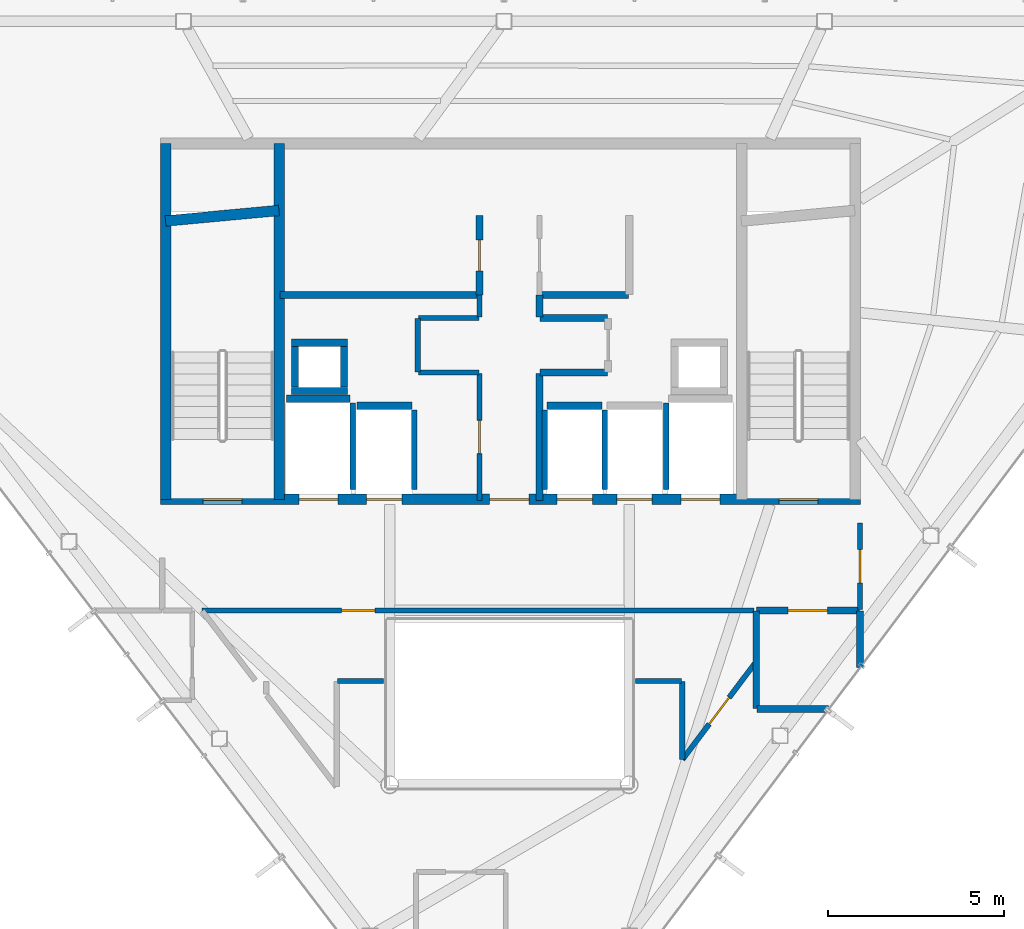
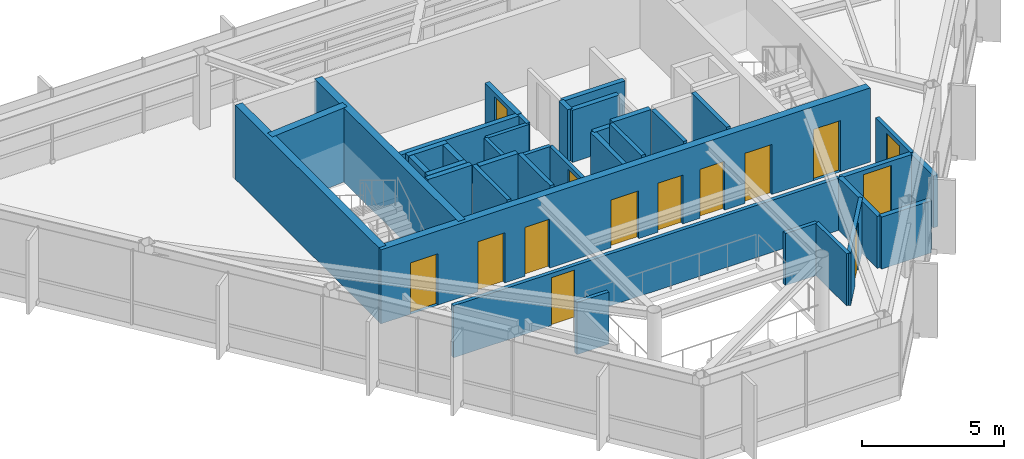
# One storey, part 20 of 22: 38 walls, 14 doors, 14 openings.
"""IFC4 building model written with IfcOpenShell, lengths in metres."""

from ifc_helpers import new_model, si_unit, direction, frame, frame_2d, origin, place, context, subcontext, project, spatial, rectangle, extrude, material, layer, layer_set, type_object, element, fill, save


model = new_model("IFC4")

# Units and contexts
model_context = context("Model", 3, precision=1e-05, world=origin(), true_north=direction((0.0, 1.0)))
body_context = subcontext(model_context, "Body", "Model", "MODEL_VIEW")
ifc_project = project(units=[si_unit("LENGTHUNIT", "METRE"), si_unit("AREAUNIT", "SQUARE_METRE"), si_unit("VOLUMEUNIT", "CUBIC_METRE"), si_unit("PLANEANGLEUNIT", "RADIAN"), si_unit("MASSUNIT", "GRAM", prefix="KILO")], contexts=[model_context])

# Site, building, storey
site_placement = place(None, origin())
site = spatial("IfcSite", under=ifc_project, at=site_placement, CompositionType="ELEMENT")
building_placement = place(site_placement, origin())
building = spatial("IfcBuilding", under=site, at=building_placement, Name="Zarrinselat Tower", CompositionType="ELEMENT")
storey_placement = place(building_placement, frame((0.0, 0.0, 289.0)))
storey = spatial("IfcBuildingStorey", under=building, at=storey_placement, Name="L74", CompositionType="ELEMENT", Elevation=289.0)

# Wall, opening, door
ifc_material_1 = material(Name="Concrete C40/50", Category="concrete")
ifc_layer_1 = layer(ifc_material_1, 0.18994140625)
ifc_layer_set_1 = layer_set([ifc_layer_1], Name="Concrete C40/50")
wall_type_1 = type_object("IfcWallType", Name="WAL-PART-EI120", PredefinedType="PARTITIONING", material=ifc_layer_set_1)
wall_1_placement = place(storey_placement, frame((45.405029296875, 30.14990234375, 0.0), z_axis=(0.0, 0.0, 1.0), x_axis=(1.0, 0.0, 0.0)))
wall_1 = element("IfcWall", 1, at=wall_1_placement, inside=storey, type_object=wall_type_1, Name="L74 Partition Wall 16", PredefinedType="PARTITIONING", context=body_context, shape_type="SweptSolid", body=[
    extrude(rectangle(XDim=2.925048828125, YDim=0.18994140625, at=frame_2d((1.46240234375, 0.0))), origin(), (0.0, 0.0, 1.0), 2.235107421875),
])
opening_1_placement = place(wall_1_placement, frame((0.902587890625, 0.0, 0.0)))
opening_1 = element("IfcOpeningElement", 2, at=opening_1_placement, cuts=wall_1, Name="Opening ID-02", PredefinedType="OPENING", context=body_context, shape_type="SweptSolid", body=[
    extrude(rectangle(XDim=1.1201171875, YDim=2.050048828125, at=frame_2d((0.56005859375, 1.02490234375))), frame((0.0, 0.10498046875, 0.0), z_axis=(0.0, -1.0, 0.0), x_axis=(1.0, 0.0, 0.0)), (0.0, 0.0, 1.0), 0.2099609375),
])
ifc_material_2 = material(Name="Steel S355J2", Category="steel")
door_type_1 = type_object("IfcDoorType", Name="DR-INT-FD60-W", OperationType="NOTDEFINED", PredefinedType="DOOR", material=ifc_material_2)
door_1_placement = place(opening_1_placement, origin())
door_1 = element("IfcDoor", 3, at=door_1_placement, inside=storey, type_object=door_type_1, Name="L74 Interior Door P16", OperationType="SINGLE_SWING_RIGHT", OverallHeight=2.050048828125, OverallWidth=1.1201171875, PredefinedType="DOOR", context=body_context, shape_type="SweptSolid", body=[
    extrude(rectangle(XDim=1.1201171875, YDim=2.050048828125, at=frame_2d((0.56005859375, 1.02490234375))), frame((0.0, 0.02490234375, 0.0), z_axis=(0.0, -1.0, 0.0), x_axis=(1.0, 0.0, 0.0)), (0.0, 0.0, 1.0), 0.050048828125),
])
fill(opening_1, door_1)

# Walls
wall_2_placement = place(storey_placement, frame((45.39990234375, 27.3701171875, 0.0), z_axis=(0.0, 0.0, 1.0), x_axis=(0.0, 1.0, 0.0)))
element("IfcWall", 4, at=wall_2_placement, inside=storey, type_object=wall_type_1, Name="L74 Partition Wall 21", PredefinedType="PARTITIONING", context=body_context, shape_type="SweptSolid", body=[
    extrude(rectangle(XDim=2.759765625, YDim=0.18994140625, at=frame_2d((1.3798828125, 0.0))), origin(), (0.0, 0.0, 1.0), 2.235107421875),
])
wall_3_placement = place(storey_placement, frame((45.419921875, 27.35009765625, 0.0), z_axis=(0.0, 0.0, 1.0), x_axis=(1.0, 0.0, 0.0)))
element("IfcWall", 5, at=wall_3_placement, inside=storey, type_object=wall_type_1, Name="L74 Partition Wall 22", PredefinedType="PARTITIONING", context=body_context, shape_type="SweptSolid", body=[
    extrude(rectangle(XDim=2.032470703125, YDim=0.18994140625, at=frame_2d((1.01611328125, 0.0))), origin(), (0.0, 0.0, 1.0), 2.235107421875),
])
wall_4_placement = place(storey_placement, frame((48.35009765625, 28.53662109375, 0.0), z_axis=(0.0, 0.0, 1.0), x_axis=(0.0, 1.0, 0.0)))
element("IfcWall", 6, at=wall_4_placement, inside=storey, type_object=wall_type_1, Name="L74 Partition Wall 23", PredefinedType="PARTITIONING", context=body_context, shape_type="SweptSolid", body=[
    extrude(rectangle(XDim=1.59326171875, YDim=0.18994140625, at=frame_2d((0.796630859375, 0.0))), origin(), (0.0, 0.0, 1.0), 2.235107421875),
])

# Wall, opening, door
ifc_material_3 = material(Name="Fire-Rated Gypsum Board Partition", Category="gypsum")
ifc_layer_2 = layer(ifc_material_3, 0.14990234375)
ifc_layer_set_2 = layer_set([ifc_layer_2], Name="Fire-Rated Gypsum Board Partition")
wall_type_2 = type_object("IfcWallType", Name="WAL-PART-EI60", PredefinedType="PARTITIONING", material=ifc_layer_set_2)
wall_5_placement = place(storey_placement, frame((37.550048828125, 33.264892578125, 0.0), z_axis=(0.0, 0.0, 1.0), x_axis=(0.0, 1.0, 0.0)))
wall_5 = element("IfcWall", 7, at=wall_5_placement, inside=storey, type_object=wall_type_2, Name="L74 Partition Wall 1", PredefinedType="PARTITIONING", context=body_context, shape_type="SweptSolid", body=[
    extrude(rectangle(XDim=3.614990234375, YDim=0.14990234375, at=frame_2d((1.8076171875, 0.0))), origin(), (0.0, 0.0, 1.0), 2.235107421875),
])
opening_2_placement = place(wall_5_placement, frame((1.33740234375, 0.0, 0.0)))
opening_2 = element("IfcOpeningElement", 8, at=opening_2_placement, cuts=wall_5, Name="Opening ID-04", PredefinedType="OPENING", context=body_context, shape_type="SweptSolid", body=[
    extrude(rectangle(XDim=0.93994140625, YDim=2.050048828125, at=frame_2d((0.469970703125, 1.02490234375))), frame((0.0, 0.0849609375, 0.0), z_axis=(0.0, -1.0, 0.0), x_axis=(1.0, 0.0, 0.0)), (0.0, 0.0, 1.0), 0.169921875),
])
ifc_material_4 = material(Name="Fire-Rated Gypsum Board Partition")
door_type_2 = type_object("IfcDoorType", Name="DR-INT-FD30-ENT", OperationType="NOTDEFINED", PredefinedType="DOOR", material=ifc_material_4)
door_2_placement = place(opening_2_placement, origin())
door_2 = element("IfcDoor", 9, at=door_2_placement, inside=storey, type_object=door_type_2, Name="L74 Interior Door P1", OperationType="SINGLE_SWING_RIGHT", OverallHeight=2.050048828125, OverallWidth=0.93994140625, PredefinedType="DOOR", context=body_context, shape_type="SweptSolid", body=[
    extrude(rectangle(XDim=0.93994140625, YDim=2.050048828125, at=frame_2d((0.469970703125, 1.02490234375))), frame((0.0, 0.02490234375, 0.0), z_axis=(0.0, -1.0, 0.0), x_axis=(1.0, 0.0, 0.0)), (0.0, 0.0, 1.0), 0.050048828125),
])
fill(opening_2, door_2)

# Walls
wall_6_placement = place(storey_placement, frame((35.820068359375, 36.89990234375, 0.0), z_axis=(0.0, 0.0, 1.0), x_axis=(1.0, 0.0, 0.0)))
element("IfcWall", 10, at=wall_6_placement, inside=storey, type_object=wall_type_2, Name="L74 Partition Wall 2", PredefinedType="PARTITIONING", context=body_context, shape_type="SweptSolid", body=[
    extrude(rectangle(XDim=1.7099609375, YDim=0.14990234375, at=frame_2d((0.85498046875, 0.0))), origin(), (0.0, 0.0, 1.0), 2.235107421875),
])
wall_7_placement = place(storey_placement, frame((35.800048828125, 36.919921875, 0.0), z_axis=(0.0, 0.0, 1.0), x_axis=(0.0, 1.0, 0.0)))
element("IfcWall", 11, at=wall_7_placement, inside=storey, type_object=wall_type_2, Name="L74 Partition Wall 3", PredefinedType="PARTITIONING", context=body_context, shape_type="SweptSolid", body=[
    extrude(rectangle(XDim=1.510009765625, YDim=0.14990234375, at=frame_2d((0.7548828125, 0.0))), origin(), (0.0, 0.0, 1.0), 2.235107421875),
])
wall_8_placement = place(storey_placement, frame((35.820068359375, 38.449951171875, 0.0), z_axis=(0.0, 0.0, 1.0), x_axis=(1.0, 0.0, 0.0)))
element("IfcWall", 12, at=wall_8_placement, inside=storey, type_object=wall_type_2, Name="L74 Partition Wall 4", PredefinedType="PARTITIONING", context=body_context, shape_type="SweptSolid", body=[
    extrude(rectangle(XDim=1.7099609375, YDim=0.14990234375, at=frame_2d((0.85498046875, 0.0))), origin(), (0.0, 0.0, 1.0), 2.235107421875),
])
wall_9_placement = place(storey_placement, frame((37.550048828125, 38.469970703125, 0.0), z_axis=(0.0, 0.0, 1.0), x_axis=(0.0, 1.0, 0.0)))
element("IfcWall", 13, at=wall_9_placement, inside=storey, type_object=wall_type_2, Name="L74 Partition Wall 5", PredefinedType="PARTITIONING", context=body_context, shape_type="SweptSolid", body=[
    extrude(rectangle(XDim=0.625, YDim=0.14990234375, at=frame_2d((0.3125, 0.0))), origin(), (0.0, 0.0, 1.0), 2.235107421875),
])

# Wall, opening, door
wall_10_placement = place(storey_placement, frame((29.674560546875, 30.14990234375, 0.0), z_axis=(0.0, 0.0, 1.0), x_axis=(1.0, 0.0, 0.0)))
wall_10 = element("IfcWall", 14, at=wall_10_placement, inside=storey, type_object=wall_type_2, Name="L74 Partition Wall 17", PredefinedType="PARTITIONING", context=body_context, shape_type="SweptSolid", body=[
    extrude(rectangle(XDim=15.67041015625, YDim=0.14990234375, at=frame_2d((7.835205078125, 0.0))), origin(), (0.0, 0.0, 1.0), 2.235107421875),
])
opening_3_placement = place(wall_10_placement, frame((3.965087890625, 0.0, 0.0)))
opening_3 = element("IfcOpeningElement", 15, at=opening_3_placement, cuts=wall_10, Name="Opening ID-04", PredefinedType="OPENING", context=body_context, shape_type="SweptSolid", body=[
    extrude(rectangle(XDim=0.93994140625, YDim=2.050048828125, at=frame_2d((0.469970703125, 1.02490234375))), frame((0.0, 0.0849609375, 0.0), z_axis=(0.0, -1.0, 0.0), x_axis=(1.0, 0.0, 0.0)), (0.0, 0.0, 1.0), 0.169921875),
])
door_3_placement = place(opening_3_placement, origin())
door_3 = element("IfcDoor", 16, at=door_3_placement, inside=storey, type_object=door_type_2, Name="L74 Interior Door P17", OperationType="SINGLE_SWING_LEFT", OverallHeight=2.050048828125, OverallWidth=0.93994140625, PredefinedType="DOOR", context=body_context, shape_type="SweptSolid", body=[
    extrude(rectangle(XDim=0.93994140625, YDim=2.050048828125, at=frame_2d((0.469970703125, 1.02490234375))), frame((0.0, 0.02490234375, 0.0), z_axis=(0.0, -1.0, 0.0), x_axis=(1.0, 0.0, 0.0)), (0.0, 0.0, 1.0), 0.050048828125),
])
fill(opening_3, door_3)

wall_11_placement = place(storey_placement, frame((48.35009765625, 30.169921875, 0.0), z_axis=(0.0, 0.0, 1.0), x_axis=(0.0, 1.0, 0.0)))
wall_11 = element("IfcWall", 17, at=wall_11_placement, inside=storey, type_object=wall_type_2, Name="L74 Partition Wall 20", PredefinedType="PARTITIONING", context=body_context, shape_type="SweptSolid", body=[
    extrude(rectangle(XDim=2.46533203125, YDim=0.14990234375, at=frame_2d((1.232666015625, 0.0))), origin(), (0.0, 0.0, 1.0), 2.235107421875),
])
opening_4_placement = place(wall_11_placement, frame((0.7626953125, 0.0, 0.0)))
opening_4 = element("IfcOpeningElement", 18, at=opening_4_placement, cuts=wall_11, Name="Opening ID-04", PredefinedType="OPENING", context=body_context, shape_type="SweptSolid", body=[
    extrude(rectangle(XDim=0.93994140625, YDim=2.050048828125, at=frame_2d((0.469970703125, 1.02490234375))), frame((0.0, 0.0849609375, 0.0), z_axis=(0.0, -1.0, 0.0), x_axis=(1.0, 0.0, 0.0)), (0.0, 0.0, 1.0), 0.169921875),
])
door_4_placement = place(opening_4_placement, origin())
door_4 = element("IfcDoor", 19, at=door_4_placement, inside=storey, type_object=door_type_2, Name="L74 Interior Door P20", OperationType="SINGLE_SWING_RIGHT", OverallHeight=2.050048828125, OverallWidth=0.93994140625, PredefinedType="DOOR", context=body_context, shape_type="SweptSolid", body=[
    extrude(rectangle(XDim=0.93994140625, YDim=2.050048828125, at=frame_2d((0.469970703125, 1.02490234375))), frame((0.0, 0.02490234375, 0.0), z_axis=(0.0, -1.0, 0.0), x_axis=(1.0, 0.0, 0.0)), (0.0, 0.0, 1.0), 0.050048828125),
])
fill(opening_4, door_4)

wall_12_placement = place(storey_placement, frame((43.31201171875, 25.92236328125, 0.0), z_axis=(0.0, 0.0, 1.0), x_axis=(0.60171699977, 0.798709366533, 0.0)))
wall_12 = element("IfcWall", 20, at=wall_12_placement, inside=storey, type_object=wall_type_2, Name="L74 Partition Wall 24", PredefinedType="PARTITIONING", context=body_context, shape_type="SweptSolid", body=[
    extrude(rectangle(XDim=3.455322265625, YDim=0.14990234375, at=frame_2d((1.7275390625, 0.0))), origin(), (0.0, 0.0, 1.0), 2.235107421875),
])
opening_5_placement = place(wall_12_placement, frame((1.257568359375, 0.0, 0.0)))
opening_5 = element("IfcOpeningElement", 21, at=opening_5_placement, cuts=wall_12, Name="Opening ID-04", PredefinedType="OPENING", context=body_context, shape_type="SweptSolid", body=[
    extrude(rectangle(XDim=0.93994140625, YDim=2.050048828125, at=frame_2d((0.469970703125, 1.02490234375))), frame((0.0, 0.0849609375, 0.0), z_axis=(0.0, -1.0, 0.0), x_axis=(1.0, 0.0, 0.0)), (0.0, 0.0, 1.0), 0.169921875),
])
door_5_placement = place(opening_5_placement, origin())
door_5 = element("IfcDoor", 22, at=door_5_placement, inside=storey, type_object=door_type_2, Name="L74 Interior Door P24", OperationType="SINGLE_SWING_LEFT", OverallHeight=2.050048828125, OverallWidth=0.93994140625, PredefinedType="DOOR", context=body_context, shape_type="SweptSolid", body=[
    extrude(rectangle(XDim=0.93994140625, YDim=2.050048828125, at=frame_2d((0.469970703125, 1.02490234375))), frame((0.0, 0.02490234375, 0.0), z_axis=(0.0, -1.0, 0.0), x_axis=(1.0, 0.0, 0.0)), (0.0, 0.0, 1.0), 0.050048828125),
])
fill(opening_5, door_5)

# Walls
wall_13_placement = place(storey_placement, frame((43.300048828125, 25.92626953125, 0.0), z_axis=(0.0, 0.0, 1.0), x_axis=(0.0, 1.0, 0.0)))
element("IfcWall", 23, at=wall_13_placement, inside=storey, type_object=wall_type_2, Name="L74 Partition Wall 25", PredefinedType="PARTITIONING", context=body_context, shape_type="SweptSolid", body=[
    extrude(rectangle(XDim=2.20361328125, YDim=0.14990234375, at=frame_2d((1.101806640625, 0.0))), origin(), (0.0, 0.0, 1.0), 2.235107421875),
])
for number, where, z_axis, x_axis, name in (
    (24, (41.97998046875, 28.14990234375, 0.0), (0.0, 0.0, 1.0), (1.0, 0.0, 0.0), "L74 Partition Wall 26"),
    (25, (33.52001953125, 28.14990234375, 0.0), (0.0, 0.0, 1.0), (1.0, 0.0, 0.0), "L74 Partition Wall 27"),
):
    element("IfcWall", number, at=place(storey_placement, frame(where, z_axis=z_axis, x_axis=x_axis)), inside=storey, type_object=wall_type_2, Name=name, PredefinedType="PARTITIONING", context=body_context, shape_type="SweptSolid", body=[
        extrude(rectangle(XDim=1.300048828125, YDim=0.14990234375, at=frame_2d((0.64990234375, 0.0))), origin(), (0.0, 0.0, 1.0), 2.235107421875),
    ])

# Wall, opening, door
ifc_material_5 = material(Name="Concrete C40/50", Category="concrete")
ifc_layer_3 = layer(ifc_material_5, 0.199951171875)
ifc_layer_set_3 = layer_set([ifc_layer_3], Name="Concrete C40/50")
wall_type_3 = type_object("IfcWallType", Name="WAL-PART-PLANT", PredefinedType="PARTITIONING", material=ifc_layer_set_3)
wall_14_placement = place(storey_placement, frame((37.550048828125, 39.10498046875, 0.0), z_axis=(0.0, 0.0, 1.0), x_axis=(0.0, 1.0, 0.0)))
wall_14 = element("IfcWall", 26, at=wall_14_placement, inside=storey, type_object=wall_type_3, Name="L74 Partition Wall 6", PredefinedType="PARTITIONING", context=body_context, shape_type="SweptSolid", body=[
    extrude(rectangle(XDim=2.2451171875, YDim=0.199951171875, at=frame_2d((1.12255859375, 0.0))), origin(), (0.0, 0.0, 1.0), 2.235107421875),
])
opening_6_placement = place(wall_14_placement, frame((0.6826171875, 0.0, 0.0)))
opening_6 = element("IfcOpeningElement", 27, at=opening_6_placement, cuts=wall_14, Name="Opening ID-03", PredefinedType="OPENING", context=body_context, shape_type="SweptSolid", body=[
    extrude(rectangle(XDim=0.8798828125, YDim=2.050048828125, at=frame_2d((0.43994140625, 1.02490234375))), frame((0.0, 0.10986328125, 0.0), z_axis=(0.0, -1.0, 0.0), x_axis=(1.0, 0.0, 0.0)), (0.0, 0.0, 1.0), 0.219970703125),
])
ifc_material_6 = material(Name="Steel S355J2", Category="steel")
door_type_3 = type_object("IfcDoorType", Name="DR-INT-FD60-S", OperationType="NOTDEFINED", PredefinedType="DOOR", material=ifc_material_6)
door_6_placement = place(opening_6_placement, origin())
door_6 = element("IfcDoor", 28, at=door_6_placement, inside=storey, type_object=door_type_3, Name="L74 Interior Door P6", OperationType="SINGLE_SWING_LEFT", OverallHeight=2.050048828125, OverallWidth=0.8798828125, PredefinedType="DOOR", context=body_context, shape_type="SweptSolid", body=[
    extrude(rectangle(XDim=0.8798828125, YDim=2.050048828125, at=frame_2d((0.43994140625, 1.02490234375))), frame((0.0, 0.02490234375, 0.0), z_axis=(0.0, -1.0, 0.0), x_axis=(1.0, 0.0, 0.0)), (0.0, 0.0, 1.0), 0.050048828125),
])
fill(opening_6, door_6)

# Walls
wall_15_placement = place(storey_placement, frame((39.25, 38.469970703125, 0.0), z_axis=(0.0, 0.0, 1.0), x_axis=(0.0, 1.0, 0.0)))
element("IfcWall", 29, at=wall_15_placement, inside=storey, type_object=wall_type_3, Name="L74 Partition Wall 7", PredefinedType="PARTITIONING", context=body_context, shape_type="SweptSolid", body=[
    extrude(rectangle(XDim=0.625, YDim=0.199951171875, at=frame_2d((0.3125, 0.0))), origin(), (0.0, 0.0, 1.0), 2.235107421875),
])
for number, where, z_axis, x_axis, name in (
    (30, (39.27001953125, 38.449951171875, 0.0), (0.0, 0.0, 1.0), (1.0, 0.0, 0.0), "L74 Partition Wall 8"),
    (31, (39.27001953125, 36.89990234375, 0.0), (0.0, 0.0, 1.0), (1.0, 0.0, 0.0), "L74 Partition Wall 10"),
):
    element("IfcWall", number, at=place(storey_placement, frame(where, z_axis=z_axis, x_axis=x_axis)), inside=storey, type_object=wall_type_3, Name=name, PredefinedType="PARTITIONING", context=body_context, shape_type="SweptSolid", body=[
        extrude(rectangle(XDim=1.909912109375, YDim=0.199951171875, at=frame_2d((0.955078125, 0.0))), origin(), (0.0, 0.0, 1.0), 2.235107421875),
    ])
wall_16_placement = place(storey_placement, frame((39.25, 33.264892578125, 0.0), z_axis=(0.0, 0.0, 1.0), x_axis=(0.0, 1.0, 0.0)))
element("IfcWall", 32, at=wall_16_placement, inside=storey, type_object=wall_type_3, Name="L74 Partition Wall 11", PredefinedType="PARTITIONING", context=body_context, shape_type="SweptSolid", body=[
    extrude(rectangle(XDim=3.614990234375, YDim=0.199951171875, at=frame_2d((1.8076171875, 0.0))), origin(), (0.0, 0.0, 1.0), 2.235107421875),
])
wall_17_placement = place(storey_placement, frame((31.885009765625, 39.10009765625, 0.0), z_axis=(0.0, 0.0, 1.0), x_axis=(1.0, 0.0, 0.0)))
element("IfcWall", 33, at=wall_17_placement, inside=storey, type_object=wall_type_3, Name="L74 Partition Wall 13", PredefinedType="PARTITIONING", context=body_context, shape_type="SweptSolid", body=[
    extrude(rectangle(XDim=5.64501953125, YDim=0.199951171875, at=frame_2d((2.822509765625, 0.0))), origin(), (0.0, 0.0, 1.0), 2.235107421875),
])
wall_18_placement = place(storey_placement, frame((39.27001953125, 39.10009765625, 0.0), z_axis=(0.0, 0.0, 1.0), x_axis=(1.0, 0.0, 0.0)))
element("IfcWall", 34, at=wall_18_placement, inside=storey, type_object=wall_type_3, Name="L74 Partition Wall 14", PredefinedType="PARTITIONING", context=body_context, shape_type="SweptSolid", body=[
    extrude(rectangle(XDim=2.510009765625, YDim=0.199951171875, at=frame_2d((1.2548828125, 0.0))), origin(), (0.0, 0.0, 1.0), 2.235107421875),
])
ifc_material_7 = material(Name="Concrete C40/50", Category="concrete")
ifc_layer_4 = layer(ifc_material_7, 0.2099609375)
ifc_layer_set_4 = layer_set([ifc_layer_4], Name="Concrete C40/50")
wall_type_4 = type_object("IfcWallType", Name="WAL-SHAFT-210", PredefinedType="SOLIDWALL", material=ifc_layer_set_4)
wall_19_placement = place(storey_placement, frame((32.080078125, 36.155029296875, 0.0), z_axis=(0.0, 0.0, 1.0), x_axis=(1.0, 0.0, 0.0)))
element("IfcWall", 35, at=wall_19_placement, inside=storey, type_object=wall_type_4, Name="L74 Lift FFL1 North Shaft Wall", PredefinedType="SOLIDWALL", context=body_context, shape_type="SweptSolid", body=[
    extrude(rectangle(XDim=1.7998046875, YDim=0.2099609375, at=frame_2d((0.89990234375, 0.0))), origin(), (0.0, 0.0, 1.0), 3.179931640625),
])
for number, where, z_axis, x_axis, name in (
    (36, (33.949951171875, 33.580078125, 0.0), (0.0, 0.0, 1.0), (0.0, 1.0, 0.0), "L74 Lift FFL1 E Shaft Wall"),
    (37, (42.85009765625, 33.580078125, 0.0), (0.0, 0.0, 1.0), (0.0, 1.0, 0.0), "L74 Lift FFL2 W Shaft Wall"),
):
    element("IfcWall", number, at=place(storey_placement, frame(where, z_axis=z_axis, x_axis=x_axis)), inside=storey, type_object=wall_type_4, Name=name, PredefinedType="SOLIDWALL", context=body_context, shape_type="SweptSolid", body=[
        extrude(rectangle(XDim=2.449951171875, YDim=0.159912109375, at=frame_2d((1.22509765625, 0.0))), origin(), (0.0, 0.0, 1.0), 3.179931640625),
    ])
wall_20_placement = place(storey_placement, frame((39.469970703125, 35.955078125, 0.0), z_axis=(0.0, 0.0, 1.0), x_axis=(1.0, 0.0, 0.0)))
element("IfcWall", 38, at=wall_20_placement, inside=storey, type_object=wall_type_4, Name="L74 Lift PL8 North Shaft Wall", PredefinedType="SOLIDWALL", context=body_context, shape_type="SweptSolid", body=[
    extrude(rectangle(XDim=1.56005859375, YDim=0.2099609375, at=frame_2d((0.780029296875, 0.0))), origin(), (0.0, 0.0, 1.0), 3.179931640625),
])
for number, where, z_axis, x_axis, name in (
    (39, (39.39990234375, 33.580078125, 0.0), (0.0, 0.0, 1.0), (0.0, 1.0, 0.0), "L74 Lift PL8 W Shaft Wall"),
    (40, (41.10009765625, 33.580078125, 0.0), (0.0, 0.0, 1.0), (0.0, 1.0, 0.0), "L74 Lift PL8 E Shaft Wall"),
):
    element("IfcWall", number, at=place(storey_placement, frame(where, z_axis=z_axis, x_axis=x_axis)), inside=storey, type_object=wall_type_4, Name=name, PredefinedType="SOLIDWALL", context=body_context, shape_type="SweptSolid", body=[
        extrude(rectangle(XDim=2.25, YDim=0.159912109375, at=frame_2d((1.125, 0.0))), origin(), (0.0, 0.0, 1.0), 3.179931640625),
    ])
wall_21_placement = place(storey_placement, frame((34.070068359375, 35.955078125, 0.0), z_axis=(0.0, 0.0, 1.0), x_axis=(1.0, 0.0, 0.0)))
element("IfcWall", 41, at=wall_21_placement, inside=storey, type_object=wall_type_4, Name="L74 Lift PL10 North Shaft Wall", PredefinedType="SOLIDWALL", context=body_context, shape_type="SweptSolid", body=[
    extrude(rectangle(XDim=1.559814453125, YDim=0.2099609375, at=frame_2d((0.77978515625, 0.0))), origin(), (0.0, 0.0, 1.0), 3.179931640625),
])
wall_22_placement = place(storey_placement, frame((35.699951171875, 33.580078125, 0.0), z_axis=(0.0, 0.0, 1.0), x_axis=(0.0, 1.0, 0.0)))
element("IfcWall", 42, at=wall_22_placement, inside=storey, type_object=wall_type_4, Name="L74 Lift PL10 E Shaft Wall", PredefinedType="SOLIDWALL", context=body_context, shape_type="SweptSolid", body=[
    extrude(rectangle(XDim=2.25, YDim=0.159912109375, at=frame_2d((1.125, 0.0))), origin(), (0.0, 0.0, 1.0), 3.179931640625),
])
for number, where, z_axis, x_axis, name in (
    (43, (32.2099609375, 36.375, 0.0), (0.0, 0.0, 1.0), (1.0, 0.0, 0.0), "L74 Core Riser RSR-W S Shaft Wall"),
    (44, (32.2099609375, 37.7451171875, 0.0), (0.0, 0.0, 1.0), (1.0, 0.0, 0.0), "L74 Core Riser RSR-W N Shaft Wall"),
):
    element("IfcWall", number, at=place(storey_placement, frame(where, z_axis=z_axis, x_axis=x_axis)), inside=storey, type_object=wall_type_4, Name=name, PredefinedType="SOLIDWALL", context=body_context, shape_type="SweptSolid", body=[
        extrude(rectangle(XDim=1.60009765625, YDim=0.2099609375, at=frame_2d((0.800048828125, 0.0))), origin(), (0.0, 0.0, 1.0), 3.179931640625),
    ])
for number, where, z_axis, x_axis, name in (
    (45, (32.31494140625, 36.485107421875, 0.0), (0.0, 0.0, 1.0), (0.0, 1.0, 0.0), "L74 Core Riser RSR-W W Shaft Wall"),
    (46, (33.705078125, 36.485107421875, 0.0), (0.0, 0.0, 1.0), (0.0, 1.0, 0.0), "L74 Core Riser RSR-W E Shaft Wall"),
):
    element("IfcWall", number, at=place(storey_placement, frame(where, z_axis=z_axis, x_axis=x_axis)), inside=storey, type_object=wall_type_4, Name=name, PredefinedType="SOLIDWALL", context=body_context, shape_type="SweptSolid", body=[
        extrude(rectangle(XDim=1.14990234375, YDim=0.2099609375, at=frame_2d((0.574951171875, 0.0))), origin(), (0.0, 0.0, 1.0), 3.179931640625),
    ])

# Wall, openings, doors
ifc_material_8 = material(Name="Concrete C40/50", Category="concrete")
ifc_layer_5 = layer(ifc_material_8, 0.300048828125)
ifc_layer_set_5 = layer_set([ifc_layer_5], Name="Concrete C40/50")
wall_type_5 = type_object("IfcWallType", Name="WAL-SHEAR-300", PredefinedType="SHEAR", material=ifc_layer_set_5)
wall_23_placement = place(storey_placement, frame((28.5, 33.300048828125, 0.0), z_axis=(0.0, 0.0, 1.0), x_axis=(1.0, 0.0, 0.0)))
wall_23 = element("IfcWall", 47, at=wall_23_placement, inside=storey, type_object=wall_type_5, Name="L74 South Core Shear Wall", PredefinedType="SHEAR", context=body_context, shape_type="SweptSolid", body=[
    extrude(rectangle(XDim=19.860107421875, YDim=0.300048828125, at=frame_2d((9.93017578125, 0.0))), origin(), (0.0, 0.0, 1.0), 3.179931640625),
])
opening_7_placement = place(wall_23_placement, frame((3.929931640625, 0.0, 0.0)))
opening_7 = element("IfcOpeningElement", 48, at=opening_7_placement, cuts=wall_23, Name="Opening LD-FFL1", PredefinedType="OPENING", context=body_context, shape_type="SweptSolid", body=[
    extrude(rectangle(XDim=1.10009765625, YDim=2.14990234375, at=frame_2d((0.550048828125, 1.074951171875))), frame((0.0, 0.159912109375, 0.0), z_axis=(0.0, -1.0, 0.0), x_axis=(1.0, 0.0, 0.0)), (0.0, 0.0, 1.0), 0.320068359375),
])
opening_8_placement = place(wall_23_placement, frame((14.77001953125, 0.0, 0.0)))
opening_8 = element("IfcOpeningElement", 49, at=opening_8_placement, cuts=wall_23, Name="Opening LD-FFL2", PredefinedType="OPENING", context=body_context, shape_type="SweptSolid", body=[
    extrude(rectangle(XDim=1.10009765625, YDim=2.14990234375, at=frame_2d((0.550048828125, 1.074951171875))), frame((0.0, 0.159912109375, 0.0), z_axis=(0.0, -1.0, 0.0), x_axis=(1.0, 0.0, 0.0)), (0.0, 0.0, 1.0), 0.320068359375),
])
opening_9_placement = place(wall_23_placement, frame((11.25, 0.0, 0.0)))
opening_9 = element("IfcOpeningElement", 50, at=opening_9_placement, cuts=wall_23, Name="Opening LD-PL8", PredefinedType="OPENING", context=body_context, shape_type="SweptSolid", body=[
    extrude(rectangle(XDim=1.0, YDim=2.10009765625, at=frame_2d((0.5, 1.050048828125))), frame((0.0, 0.159912109375, 0.0), z_axis=(0.0, -1.0, 0.0), x_axis=(1.0, 0.0, 0.0)), (0.0, 0.0, 1.0), 0.320068359375),
])
opening_10_placement = place(wall_23_placement, frame((12.949951171875, 0.0, 0.0)))
opening_10 = element("IfcOpeningElement", 51, at=opening_10_placement, cuts=wall_23, Name="Opening LD-PL9", PredefinedType="OPENING", context=body_context, shape_type="SweptSolid", body=[
    extrude(rectangle(XDim=1.0, YDim=2.10009765625, at=frame_2d((0.5, 1.050048828125))), frame((0.0, 0.159912109375, 0.0), z_axis=(0.0, -1.0, 0.0), x_axis=(1.0, 0.0, 0.0)), (0.0, 0.0, 1.0), 0.320068359375),
])
opening_11_placement = place(wall_23_placement, frame((5.85009765625, 0.0, 0.0)))
opening_11 = element("IfcOpeningElement", 52, at=opening_11_placement, cuts=wall_23, Name="Opening LD-PL10", PredefinedType="OPENING", context=body_context, shape_type="SweptSolid", body=[
    extrude(rectangle(XDim=1.0, YDim=2.10009765625, at=frame_2d((0.5, 1.050048828125))), frame((0.0, 0.159912109375, 0.0), z_axis=(0.0, -1.0, 0.0), x_axis=(1.0, 0.0, 0.0)), (0.0, 0.0, 1.0), 0.320068359375),
])
opening_12_placement = place(wall_23_placement, frame((1.2099609375, 0.0, 0.0)))
opening_12 = element("IfcOpeningElement", 53, at=opening_12_placement, cuts=wall_23, Name="Opening SD-01", PredefinedType="OPENING", context=body_context, shape_type="SweptSolid", body=[
    extrude(rectangle(XDim=1.10009765625, YDim=2.199951171875, at=frame_2d((0.550048828125, 1.10009765625))), frame((0.0, 0.159912109375, 0.0), z_axis=(0.0, -1.0, 0.0), x_axis=(1.0, 0.0, 0.0)), (0.0, 0.0, 1.0), 0.320068359375),
])
opening_13_placement = place(wall_23_placement, frame((9.340087890625, 0.0, 0.0)))
opening_13 = element("IfcOpeningElement", 54, at=opening_13_placement, cuts=wall_23, Name="Opening ID-02", PredefinedType="OPENING", context=body_context, shape_type="SweptSolid", body=[
    extrude(rectangle(XDim=1.1201171875, YDim=2.050048828125, at=frame_2d((0.56005859375, 1.02490234375))), frame((0.0, 0.159912109375, 0.0), z_axis=(0.0, -1.0, 0.0), x_axis=(1.0, 0.0, 0.0)), (0.0, 0.0, 1.0), 0.320068359375),
])
opening_14_placement = place(wall_23_placement, frame((17.550048828125, 0.0, 0.0)))
opening_14 = element("IfcOpeningElement", 55, at=opening_14_placement, cuts=wall_23, Name="Opening SD-01", PredefinedType="OPENING", context=body_context, shape_type="SweptSolid", body=[
    extrude(rectangle(XDim=1.10009765625, YDim=2.199951171875, at=frame_2d((0.550048828125, 1.10009765625))), frame((0.0, 0.159912109375, 0.0), z_axis=(0.0, -1.0, 0.0), x_axis=(1.0, 0.0, 0.0)), (0.0, 0.0, 1.0), 0.320068359375),
])
door_7_placement = place(opening_13_placement, origin())
door_7 = element("IfcDoor", 56, at=door_7_placement, inside=storey, type_object=door_type_1, Name="L74 Core Service Vestibule Fire Door", OperationType="SINGLE_SWING_RIGHT", OverallHeight=2.050048828125, OverallWidth=1.1201171875, PredefinedType="DOOR", context=body_context, shape_type="SweptSolid", body=[
    extrude(rectangle(XDim=1.1201171875, YDim=2.050048828125, at=frame_2d((0.56005859375, 1.02490234375))), frame((0.0, 0.02490234375, 0.0), z_axis=(0.0, -1.0, 0.0), x_axis=(1.0, 0.0, 0.0)), (0.0, 0.0, 1.0), 0.050048828125),
])
fill(opening_13, door_7)
ifc_material_9 = material(Name="Steel S355J2", Category="steel")
door_type_4 = type_object("IfcDoorType", Name="DR-LIFT-FF-1100", OperationType="NOTDEFINED", PredefinedType="DOOR", material=ifc_material_9)
door_8_placement = place(opening_7_placement, origin())
door_8 = element("IfcDoor", 57, at=door_8_placement, inside=storey, type_object=door_type_4, Name="L74 Lift FFL1 Sliding Landing Door", OperationType="SLIDING_TO_LEFT", OverallHeight=2.14990234375, OverallWidth=1.10009765625, PredefinedType="DOOR", context=body_context, shape_type="SweptSolid", body=[
    extrude(rectangle(XDim=1.10009765625, YDim=2.14990234375, at=frame_2d((0.550048828125, 1.074951171875))), frame((0.0, 0.02490234375, 0.0), z_axis=(0.0, -1.0, 0.0), x_axis=(1.0, 0.0, 0.0)), (0.0, 0.0, 1.0), 0.050048828125),
])
fill(opening_7, door_8)
door_9_placement = place(opening_8_placement, origin())
door_9 = element("IfcDoor", 58, at=door_9_placement, inside=storey, type_object=door_type_4, Name="L74 Lift FFL2 Sliding Landing Door", OperationType="SLIDING_TO_RIGHT", OverallHeight=2.14990234375, OverallWidth=1.10009765625, PredefinedType="DOOR", context=body_context, shape_type="SweptSolid", body=[
    extrude(rectangle(XDim=1.10009765625, YDim=2.14990234375, at=frame_2d((0.550048828125, 1.074951171875))), frame((0.0, 0.02490234375, 0.0), z_axis=(0.0, -1.0, 0.0), x_axis=(1.0, 0.0, 0.0)), (0.0, 0.0, 1.0), 0.050048828125),
])
fill(opening_8, door_9)
ifc_material_10 = material(Name="Steel S355J2", Category="steel")
door_type_5 = type_object("IfcDoorType", Name="DR-LIFT-PS-1000", OperationType="NOTDEFINED", PredefinedType="DOOR", material=ifc_material_10)
door_10_placement = place(opening_9_placement, origin())
door_10 = element("IfcDoor", 59, at=door_10_placement, inside=storey, type_object=door_type_5, Name="L74 Lift PL8 Sliding Landing Door", OperationType="SLIDING_TO_RIGHT", OverallHeight=2.10009765625, OverallWidth=1.0, PredefinedType="DOOR", context=body_context, shape_type="SweptSolid", body=[
    extrude(rectangle(XDim=1.0, YDim=2.10009765625, at=frame_2d((0.5, 1.050048828125))), frame((0.0, 0.02490234375, 0.0), z_axis=(0.0, -1.0, 0.0), x_axis=(1.0, 0.0, 0.0)), (0.0, 0.0, 1.0), 0.050048828125),
])
fill(opening_9, door_10)
door_11_placement = place(opening_10_placement, origin())
door_11 = element("IfcDoor", 60, at=door_11_placement, inside=storey, type_object=door_type_5, Name="L74 Lift PL9 Sliding Landing Door", OperationType="SLIDING_TO_LEFT", OverallHeight=2.10009765625, OverallWidth=1.0, PredefinedType="DOOR", context=body_context, shape_type="SweptSolid", body=[
    extrude(rectangle(XDim=1.0, YDim=2.10009765625, at=frame_2d((0.5, 1.050048828125))), frame((0.0, 0.02490234375, 0.0), z_axis=(0.0, -1.0, 0.0), x_axis=(1.0, 0.0, 0.0)), (0.0, 0.0, 1.0), 0.050048828125),
])
fill(opening_10, door_11)
door_12_placement = place(opening_11_placement, origin())
door_12 = element("IfcDoor", 61, at=door_12_placement, inside=storey, type_object=door_type_5, Name="L74 Lift PL10 Sliding Landing Door", OperationType="SLIDING_TO_RIGHT", OverallHeight=2.10009765625, OverallWidth=1.0, PredefinedType="DOOR", context=body_context, shape_type="SweptSolid", body=[
    extrude(rectangle(XDim=1.0, YDim=2.10009765625, at=frame_2d((0.5, 1.050048828125))), frame((0.0, 0.02490234375, 0.0), z_axis=(0.0, -1.0, 0.0), x_axis=(1.0, 0.0, 0.0)), (0.0, 0.0, 1.0), 0.050048828125),
])
fill(opening_11, door_12)
ifc_material_11 = material(Name="Steel S355J2", Category="steel")
door_type_6 = type_object("IfcDoorType", Name="DR-STAIR-1100", OperationType="NOTDEFINED", PredefinedType="DOOR", material=ifc_material_11)
door_13_placement = place(opening_12_placement, origin())
door_13 = element("IfcDoor", 62, at=door_13_placement, inside=storey, type_object=door_type_6, Name="L74 Exit Stair 1 Fire Door", OperationType="SINGLE_SWING_LEFT", OverallHeight=2.199951171875, OverallWidth=1.10009765625, PredefinedType="DOOR", context=body_context, shape_type="SweptSolid", body=[
    extrude(rectangle(XDim=1.10009765625, YDim=2.199951171875, at=frame_2d((0.550048828125, 1.10009765625))), frame((0.0, 0.02490234375, 0.0), z_axis=(0.0, -1.0, 0.0), x_axis=(1.0, 0.0, 0.0)), (0.0, 0.0, 1.0), 0.050048828125),
])
fill(opening_12, door_13)
door_14_placement = place(opening_14_placement, origin())
door_14 = element("IfcDoor", 63, at=door_14_placement, inside=storey, type_object=door_type_6, Name="L74 Exit Stair 2 Fire Door", OperationType="SINGLE_SWING_RIGHT", OverallHeight=2.199951171875, OverallWidth=1.10009765625, PredefinedType="DOOR", context=body_context, shape_type="SweptSolid", body=[
    extrude(rectangle(XDim=1.10009765625, YDim=2.199951171875, at=frame_2d((0.550048828125, 1.10009765625))), frame((0.0, 0.02490234375, 0.0), z_axis=(0.0, -1.0, 0.0), x_axis=(1.0, 0.0, 0.0)), (0.0, 0.0, 1.0), 0.050048828125),
])
fill(opening_14, door_14)

# Walls
for number, where, z_axis, x_axis, name in (
    (64, (28.64990234375, 33.300048828125, 0.0), (0.0, 0.0, 1.0), (0.0, 1.0, 0.0), "L74 Core Shear Wall W"),
    (65, (31.8701171875, 33.300048828125, 0.0), (0.0, 0.0, 1.0), (0.0, 1.0, 0.0), "L74 Core Shear Wall ST1E"),
):
    element("IfcWall", number, at=place(storey_placement, frame(where, z_axis=z_axis, x_axis=x_axis)), inside=storey, type_object=wall_type_5, Name=name, PredefinedType="SHEAR", context=body_context, shape_type="SweptSolid", body=[
        extrude(rectangle(XDim=10.099853515625, YDim=0.300048828125, at=frame_2d((5.0498046875, 0.0))), origin(), (0.0, 0.0, 1.0), 3.179931640625),
    ])
wall_24_placement = place(storey_placement, frame((28.639892578125, 41.199951171875, 0.0), z_axis=(0.0, 0.0, 1.0), x_axis=(0.995687118776, 0.092774789157, 0.0)))
element("IfcWall", 66, at=wall_24_placement, inside=storey, type_object=wall_type_5, Name="L74 Stair 1 North Shaft Wall", PredefinedType="SHEAR", context=body_context, shape_type="SweptSolid", body=[
    extrude(rectangle(XDim=3.234130859375, YDim=0.300048828125, at=frame_2d((1.6171875, 0.0))), origin(), (0.0, 0.0, 1.0), 3.179931640625),
])

save(model, "model.ifc")
